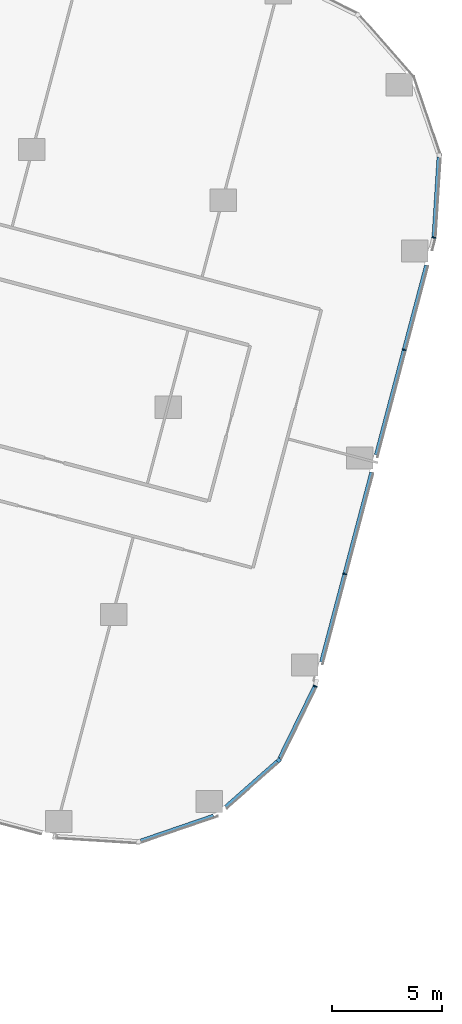
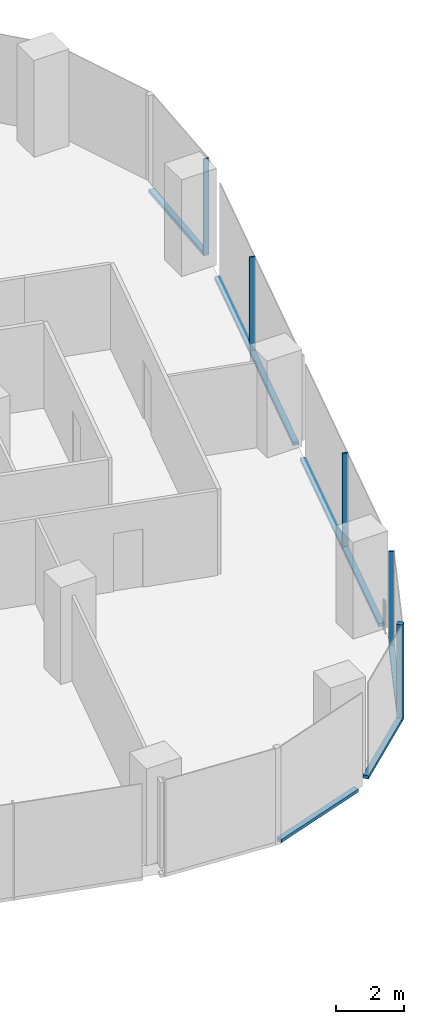
# One storey, part 10 of 34: 11 members, 5 elements without a shape of their own.
"""IFC4 building model written with IfcOpenShell, lengths in metres."""

from ifc_helpers import new_model, si_unit, direction, frame, origin, origin_2d, place, context, subcontext, project, spatial, rectangle, extrude, material, material_profile, profile_set, type_object, element, aggregate, save


model = new_model("IFC4")

# Units and contexts
model_context = context("Model", 3, precision=1e-05, world=origin(), true_north=direction((0.0, 1.0)))
body_context = subcontext(model_context, "Body", "Model", "MODEL_VIEW")
ifc_project = project(units=[si_unit("LENGTHUNIT", "METRE"), si_unit("AREAUNIT", "SQUARE_METRE"), si_unit("VOLUMEUNIT", "CUBIC_METRE"), si_unit("PLANEANGLEUNIT", "RADIAN"), si_unit("MASSUNIT", "GRAM", prefix="KILO")], contexts=[model_context])

# Site, building, storey
site_placement = place(None, origin())
site = spatial("IfcSite", under=ifc_project, at=site_placement, CompositionType="ELEMENT")
building_placement = place(site_placement, origin())
building = spatial("IfcBuilding", under=site, at=building_placement, Name="Orlundy Tower", CompositionType="ELEMENT")
storey_placement = place(building_placement, frame((0.0, 0.0, 109.199951171875)))
storey = spatial("IfcBuildingStorey", under=building, at=storey_placement, Name="L27", CompositionType="ELEMENT", Elevation=109.199951171875)

# Curtain wall, member
ifc_material_1 = material(Name="Aluminium bronze anodised", Category="aluminium")
curtain_wall_type = type_object("IfcCurtainWallType", Name="CW1 wall", PredefinedType="NOTDEFINED", material=ifc_material_1)
curtain_wall_1_placement = place(storey_placement, origin())
curtain_wall_1 = element("IfcCurtainWall", 1, at=curtain_wall_1_placement, inside=storey, type_object=curtain_wall_type, Name="CW1 run 025", PredefinedType="NOTDEFINED")
ifc_material_2 = material(Name="Aluminium bronze anodised", Category="aluminium")
ifc_material_profile_1 = material_profile(ifc_material_2, rectangle(XDim=0.179931640625, YDim=0.179931640625, at=origin_2d()), Name="CW1 corner post 180x180")
ifc_profile_set_1 = profile_set([ifc_material_profile_1], Name="Aluminium bronze anodised")
member_type_1 = type_object("IfcMemberType", Name="CW1 corner post 180x180", PredefinedType="MULLION", material=ifc_profile_set_1)
member_1_placement = place(storey_placement, frame((54.239013671875, -29.023681640625, -0.39990234375), z_axis=(0.0, 0.0, 1.0), x_axis=(0.661478866824, -0.749963804957, 0.0)))
member_1 = element("IfcMember", 2, at=member_1_placement, type_object=member_type_1, Name="CW1 mullion 66", PredefinedType="MULLION", context=body_context, shape_type="SweptSolid", body=[
    extrude(rectangle(XDim=0.179931640625, YDim=0.179931640625, at=origin_2d()), origin(), (0.0, 0.0, 1.0), 3.5),
])

# Curtain wall, members
curtain_wall_2_placement = place(storey_placement, origin())
curtain_wall_2 = element("IfcCurtainWall", 3, at=curtain_wall_2_placement, inside=storey, type_object=curtain_wall_type, Name="CW1 run 023", PredefinedType="NOTDEFINED")
ifc_material_3 = material(Name="Aluminium bronze anodised", Category="aluminium")
ifc_material_profile_2 = material_profile(ifc_material_3, rectangle(XDim=0.179931640625, YDim=0.050048828125, at=origin_2d()), Name="CW1 mullion 50x180")
ifc_profile_set_2 = profile_set([ifc_material_profile_2], Name="Aluminium bronze anodised")
member_type_2 = type_object("IfcMemberType", Name="CW1 mullion 50x180", PredefinedType="MULLION", material=ifc_profile_set_2)
member_2_placement = place(storey_placement, frame((61.26123046875, -5.3525390625, -0.39990234375), z_axis=(0.0, 0.0, 1.0), x_axis=(0.987106713631, -0.160063537088, 0.0)))
member_2 = element("IfcMember", 4, at=member_2_placement, type_object=member_type_2, Name="CW1 mullion 61", PredefinedType="MULLION", context=body_context, shape_type="SweptSolid", body=[
    extrude(rectangle(XDim=0.179931640625, YDim=0.050048828125, at=origin_2d()), origin(), (0.0, 0.0, 1.0), 3.5),
])
member_3_placement = place(storey_placement, frame((59.9150390625, -10.436279296875, -0.39990234375), z_axis=(0.0, 0.0, 1.0), x_axis=(0.966679239296, -0.255990719194, 0.0)))
member_3 = element("IfcMember", 5, at=member_3_placement, type_object=member_type_2, Name="CW1 mullion 62", PredefinedType="MULLION", context=body_context, shape_type="SweptSolid", body=[
    extrude(rectangle(XDim=0.179931640625, YDim=0.050048828125, at=origin_2d()), origin(), (0.0, 0.0, 1.0), 3.5),
])
member_4_placement = place(storey_placement, frame((57.22705078125, -20.586669921875, -0.39990234375), z_axis=(0.0, 0.0, 1.0), x_axis=(0.966679239296, -0.255990719194, 0.0)))
member_4 = element("IfcMember", 6, at=member_4_placement, type_object=member_type_2, Name="CW1 mullion 64", PredefinedType="MULLION", context=body_context, shape_type="SweptSolid", body=[
    extrude(rectangle(XDim=0.179931640625, YDim=0.050048828125, at=origin_2d()), origin(), (0.0, 0.0, 1.0), 3.5),
])

# Curtain wall, member
curtain_wall_3_placement = place(storey_placement, origin())
curtain_wall_3 = element("IfcCurtainWall", 7, at=curtain_wall_3_placement, inside=storey, type_object=curtain_wall_type, Name="CW1 run 024", PredefinedType="NOTDEFINED")
member_5_placement = place(storey_placement, frame((55.880615234375, -25.670654296875, -0.39990234375), z_axis=(0.0, 0.0, 1.0), x_axis=(0.936915365635, -0.349556286795, 0.0)))
member_5 = element("IfcMember", 8, at=member_5_placement, type_object=member_type_2, Name="CW1 mullion 65", PredefinedType="MULLION", context=body_context, shape_type="SweptSolid", body=[
    extrude(rectangle(XDim=0.179931640625, YDim=0.050048828125, at=origin_2d()), origin(), (0.0, 0.0, 1.0), 3.5),
])

curtain_wall_4_placement = place(storey_placement, origin())
curtain_wall_4 = element("IfcCurtainWall", 9, at=curtain_wall_4_placement, inside=storey, type_object=curtain_wall_type, Name="CW1 run 022", PredefinedType="NOTDEFINED")
ifc_material_4 = material(Name="Aluminium bronze anodised", Category="aluminium")
ifc_material_profile_3 = material_profile(ifc_material_4, rectangle(XDim=0.179931640625, YDim=0.1201171875, at=origin_2d()), Name="CW1 transom 180x120")
ifc_profile_set_3 = profile_set([ifc_material_profile_3], Name="Aluminium bronze anodised")
member_type_3 = type_object("IfcMemberType", Name="CW1 transom 180x120", PredefinedType="USERDEFINED", material=ifc_profile_set_3)
member_6_placement = place(storey_placement, frame((61.4892578125, -1.716552734375, -0.33984375), z_axis=(-0.06255473312, -0.998041534889, 0.0), x_axis=(0.998041534889, -0.06255473312, 0.0)))
member_6 = element("IfcMember", 10, at=member_6_placement, type_object=member_type_3, Name="CW1 transom", ObjectType="TRANSOM", PredefinedType="USERDEFINED", context=body_context, shape_type="SweptSolid", body=[
    extrude(rectangle(XDim=0.179931640625, YDim=0.1201171875, at=origin_2d()), origin(), (0.0, 0.0, 1.0), 3.617919921875),
])
aggregate(curtain_wall_4, [member_6])

# Member
member_7_placement = place(storey_placement, frame((60.9287109375, -6.60791015625, -0.33984375), z_axis=(-0.255977891732, -0.966682636104, 0.0), x_axis=(0.966682636104, -0.255977891732, 0.0)))
member_7 = element("IfcMember", 11, at=member_7_placement, type_object=member_type_3, Name="CW1 transom", ObjectType="TRANSOM", PredefinedType="USERDEFINED", context=body_context, shape_type="SweptSolid", body=[
    extrude(rectangle(XDim=0.179931640625, YDim=0.1201171875, at=origin_2d()), origin(), (0.0, 0.0, 1.0), 8.88623046875),
])

member_8_placement = place(storey_placement, frame((58.445556640625, -15.985107421875, -0.33984375), z_axis=(-0.255998288783, -0.966677234727, 0.0), x_axis=(0.966677234727, -0.255998288783, 0.0)))
member_8 = element("IfcMember", 12, at=member_8_placement, type_object=member_type_3, Name="CW1 transom", ObjectType="TRANSOM", PredefinedType="USERDEFINED", context=body_context, shape_type="SweptSolid", body=[
    extrude(rectangle(XDim=0.179931640625, YDim=0.1201171875, at=origin_2d()), origin(), (0.0, 0.0, 1.0), 8.885498046875),
])

aggregate(curtain_wall_2, [member_2, member_3, member_4, member_7, member_8])

member_9_placement = place(storey_placement, frame((55.86962890625, -25.693115234375, -0.33984375), z_axis=(-0.439733905011, -0.898128104885, 0.0), x_axis=(0.898128104885, -0.439733905011, 0.0)))
member_9 = element("IfcMember", 13, at=member_9_placement, type_object=member_type_3, Name="CW1 transom", ObjectType="TRANSOM", PredefinedType="USERDEFINED", context=body_context, shape_type="SweptSolid", body=[
    extrude(rectangle(XDim=0.179931640625, YDim=0.1201171875, at=origin_2d()), origin(), (0.0, 0.0, 1.0), 3.611083984375),
])

aggregate(curtain_wall_3, [member_5, member_9])

member_10_placement = place(storey_placement, frame((54.17138671875, -29.083251953125, -0.33984375), z_axis=(-0.749959050318, -0.661484257444, 0.0), x_axis=(0.661484257444, -0.749959050318, 0.0)))
member_10 = element("IfcMember", 14, at=member_10_placement, type_object=member_type_3, Name="CW1 transom", ObjectType="TRANSOM", PredefinedType="USERDEFINED", context=body_context, shape_type="SweptSolid", body=[
    extrude(rectangle(XDim=0.179931640625, YDim=0.1201171875, at=origin_2d()), origin(), (0.0, 0.0, 1.0), 3.115478515625),
])

aggregate(curtain_wall_1, [member_1, member_10])

# Curtain wall, member
curtain_wall_5_placement = place(storey_placement, origin())
curtain_wall_5 = element("IfcCurtainWall", 15, at=curtain_wall_5_placement, inside=storey, type_object=curtain_wall_type, Name="CW1 run 026", PredefinedType="NOTDEFINED")
member_11_placement = place(storey_placement, frame((51.281494140625, -31.551025390625, -0.33984375), z_axis=(-0.94595208555, -0.324306416594, 0.0), x_axis=(0.324306416594, -0.94595208555, 0.0)))
member_11 = element("IfcMember", 16, at=member_11_placement, type_object=member_type_3, Name="CW1 transom", ObjectType="TRANSOM", PredefinedType="USERDEFINED", context=body_context, shape_type="SweptSolid", body=[
    extrude(rectangle(XDim=0.179931640625, YDim=0.1201171875, at=origin_2d()), origin(), (0.0, 0.0, 1.0), 3.485595703125),
])
aggregate(curtain_wall_5, [member_11])

save(model, "model.ifc")
